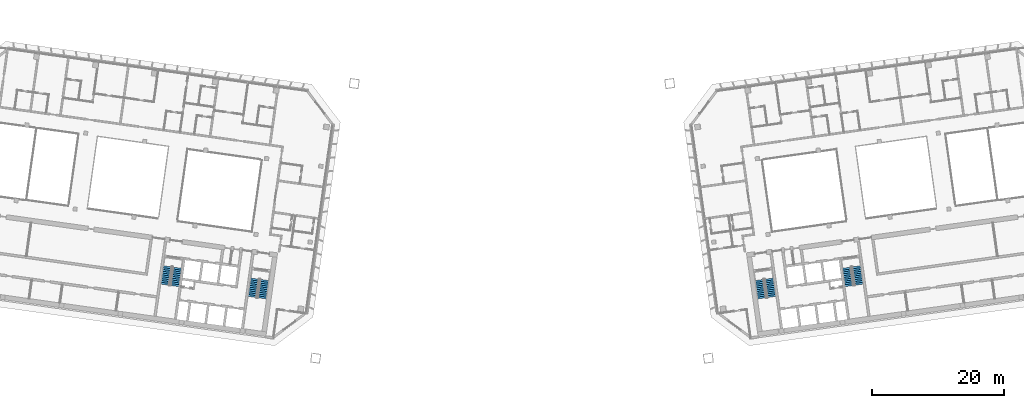
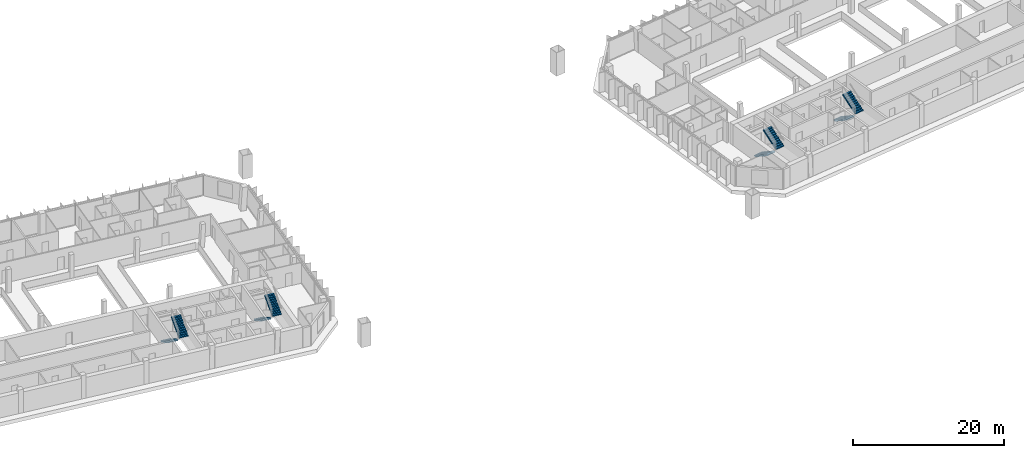
# One storey, part 21 of 23: 8 stair flights, 4 elements without a shape of their own.
"""IFC4 building model written with IfcOpenShell, lengths in metres."""

from ifc_helpers import new_model, si_unit, direction, frame, origin, place, context, subcontext, project, spatial, polyline, outline, extrude, material, type_object, element, aggregate, save


model = new_model("IFC4")

# Units and contexts
model_context = context("Model", 3, precision=1e-05, world=origin(), true_north=direction((0.0, 1.0)))
body_context = subcontext(model_context, "Body", "Model", "MODEL_VIEW")
ifc_project = project(units=[si_unit("LENGTHUNIT", "METRE"), si_unit("AREAUNIT", "SQUARE_METRE"), si_unit("VOLUMEUNIT", "CUBIC_METRE"), si_unit("PLANEANGLEUNIT", "RADIAN"), si_unit("MASSUNIT", "GRAM", prefix="KILO")], contexts=[model_context])

# Site, building, storey
site_placement = place(None, origin())
site = spatial("IfcSite", under=ifc_project, at=site_placement, CompositionType="ELEMENT")
building_placement = place(site_placement, origin())
building = spatial("IfcBuilding", under=site, at=building_placement, Name="Mirante Cascada Hotel Towers", CompositionType="ELEMENT")
storey_placement = place(building_placement, frame((0.0, 0.0, 180.2)))
storey = spatial("IfcBuildingStorey", under=building, at=storey_placement, Name="L42", CompositionType="ELEMENT", Elevation=180.2)

# Stair, stair flights
ifc_material_1 = material(Name="Concrete C35/45", Category="concrete")
stair_type = type_object("IfcStairType", Name="Exit stair half-turn 1350 concrete C35/45", PredefinedType="HALF_TURN_STAIR", material=ifc_material_1)
stair_1_placement = place(storey_placement, origin())
stair_1 = element("IfcStair", 1, at=stair_1_placement, inside=storey, type_object=stair_type, Name="L42 Exit stair A", PredefinedType="HALF_TURN_STAIR")
ifc_material_2 = material(Name="Concrete C35/45", Category="concrete")
stair_flight_type = type_object("IfcStairFlightType", Name="Exit stair flight 1350 concrete C35/45", PredefinedType="STRAIGHT", material=ifc_material_2)
stair_flight_1_placement = place(storey_placement, frame((-38.9417, -11.195, 0.0), z_axis=(0.0, 0.0, 1.0), x_axis=(-0.1391731, -0.9902681, 0.0)))
stair_flight_1 = element("IfcStairFlight", 2, at=stair_flight_1_placement, type_object=stair_flight_type, Name="ST1-A flight 1", NumberOfRisers=11, NumberOfTreads=10, PredefinedType="STRAIGHT", RiserHeight=0.172727273, TreadLength=0.28, context=body_context, shape_type="SweptSolid", body=[
    extrude(outline(polyline([(0.0, 0.0), (0.0, 0.1727), (0.28, 0.1727), (0.28, 0.3455), (0.56, 0.3455), (0.56, 0.5182), (0.84, 0.5182), (0.84, 0.6909), (1.12, 0.6909), (1.12, 0.8636), (1.4, 0.8636), (1.4, 1.0364), (1.68, 1.0364), (1.68, 1.2091), (1.96, 1.2091), (1.96, 1.3818), (2.24, 1.3818), (2.24, 1.5545), (2.52, 1.5545), (2.52, 1.7273), (2.8, 1.7273), (2.8, 1.9), (2.8, 1.551), (0.2857, 0.0), (0.0, 0.0)])), frame((0.0, 0.675, 0.0), z_axis=(0.0, -1.0, 0.0), x_axis=(1.0, 0.0, 0.0)), (0.0, 0.0, 1.0), 1.35),
])
stair_flight_2_placement = place(storey_placement, frame((-37.846, -14.1765, 1.9), z_axis=(0.0, 0.0, 1.0), x_axis=(0.1391731, 0.9902681, 0.0)))
stair_flight_2 = element("IfcStairFlight", 3, at=stair_flight_2_placement, type_object=stair_flight_type, Name="ST1-A flight 2", NumberOfRisers=11, NumberOfTreads=10, PredefinedType="STRAIGHT", RiserHeight=0.172727273, TreadLength=0.28, context=body_context, shape_type="SweptSolid", body=[
    extrude(outline(polyline([(0.0, 0.0), (0.0, 0.1727), (0.28, 0.1727), (0.28, 0.3455), (0.56, 0.3455), (0.56, 0.5182), (0.84, 0.5182), (0.84, 0.6909), (1.12, 0.6909), (1.12, 0.8636), (1.4, 0.8636), (1.4, 1.0364), (1.68, 1.0364), (1.68, 1.2091), (1.96, 1.2091), (1.96, 1.3818), (2.24, 1.3818), (2.24, 1.5545), (2.52, 1.5545), (2.52, 1.7273), (2.8, 1.7273), (2.8, 1.9), (2.8, 1.551), (0.2857, 0.0), (0.0, 0.0)])), frame((0.0, 0.675, 0.0), z_axis=(0.0, -1.0, 0.0), x_axis=(1.0, 0.0, 0.0)), (0.0, 0.0, 1.0), 1.35),
])
aggregate(stair_1, [stair_flight_1, stair_flight_2])

stair_2_placement = place(storey_placement, origin())
stair_2 = element("IfcStair", 4, at=stair_2_placement, inside=storey, type_object=stair_type, Name="L42 Exit stair B", PredefinedType="HALF_TURN_STAIR")
stair_flight_3_placement = place(storey_placement, frame((-52.1618, -9.3371, 0.0), z_axis=(0.0, 0.0, 1.0), x_axis=(-0.1391731, -0.9902681, 0.0)))
stair_flight_3 = element("IfcStairFlight", 5, at=stair_flight_3_placement, type_object=stair_flight_type, Name="ST1-B flight 1", NumberOfRisers=11, NumberOfTreads=10, PredefinedType="STRAIGHT", RiserHeight=0.172727273, TreadLength=0.28, context=body_context, shape_type="SweptSolid", body=[
    extrude(outline(polyline([(0.0, 0.0), (0.0, 0.1727), (0.28, 0.1727), (0.28, 0.3455), (0.56, 0.3455), (0.56, 0.5182), (0.84, 0.5182), (0.84, 0.6909), (1.12, 0.6909), (1.12, 0.8636), (1.4, 0.8636), (1.4, 1.0364), (1.68, 1.0364), (1.68, 1.2091), (1.96, 1.2091), (1.96, 1.3818), (2.24, 1.3818), (2.24, 1.5545), (2.52, 1.5545), (2.52, 1.7273), (2.8, 1.7273), (2.8, 1.9), (2.8, 1.551), (0.2857, 0.0), (0.0, 0.0)])), frame((0.0, 0.675, 0.0), z_axis=(0.0, -1.0, 0.0), x_axis=(1.0, 0.0, 0.0)), (0.0, 0.0, 1.0), 1.35),
])
stair_flight_4_placement = place(storey_placement, frame((-51.0661, -12.3186, 1.9), z_axis=(0.0, 0.0, 1.0), x_axis=(0.1391731, 0.9902681, 0.0)))
stair_flight_4 = element("IfcStairFlight", 6, at=stair_flight_4_placement, type_object=stair_flight_type, Name="ST1-B flight 2", NumberOfRisers=11, NumberOfTreads=10, PredefinedType="STRAIGHT", RiserHeight=0.172727273, TreadLength=0.28, context=body_context, shape_type="SweptSolid", body=[
    extrude(outline(polyline([(0.0, 0.0), (0.0, 0.1727), (0.28, 0.1727), (0.28, 0.3455), (0.56, 0.3455), (0.56, 0.5182), (0.84, 0.5182), (0.84, 0.6909), (1.12, 0.6909), (1.12, 0.8636), (1.4, 0.8636), (1.4, 1.0364), (1.68, 1.0364), (1.68, 1.2091), (1.96, 1.2091), (1.96, 1.3818), (2.24, 1.3818), (2.24, 1.5545), (2.52, 1.5545), (2.52, 1.7273), (2.8, 1.7273), (2.8, 1.9), (2.8, 1.551), (0.2857, 0.0), (0.0, 0.0)])), frame((0.0, 0.675, 0.0), z_axis=(0.0, -1.0, 0.0), x_axis=(1.0, 0.0, 0.0)), (0.0, 0.0, 1.0), 1.35),
])
aggregate(stair_2, [stair_flight_3, stair_flight_4])

stair_3_placement = place(storey_placement, origin())
stair_3 = element("IfcStair", 7, at=stair_3_placement, inside=storey, type_object=stair_type, Name="L42 Exit stair A", PredefinedType="HALF_TURN_STAIR")
stair_flight_5_placement = place(storey_placement, frame((37.4563, -11.4038, 0.0), z_axis=(0.0, 0.0, 1.0), x_axis=(0.1391731, -0.9902681, 0.0)))
stair_flight_5 = element("IfcStairFlight", 8, at=stair_flight_5_placement, type_object=stair_flight_type, Name="ST2-A flight 1", NumberOfRisers=11, NumberOfTreads=10, PredefinedType="STRAIGHT", RiserHeight=0.172727273, TreadLength=0.28, context=body_context, shape_type="SweptSolid", body=[
    extrude(outline(polyline([(0.0, 0.0), (0.0, 0.1727), (0.28, 0.1727), (0.28, 0.3455), (0.56, 0.3455), (0.56, 0.5182), (0.84, 0.5182), (0.84, 0.6909), (1.12, 0.6909), (1.12, 0.8636), (1.4, 0.8636), (1.4, 1.0364), (1.68, 1.0364), (1.68, 1.2091), (1.96, 1.2091), (1.96, 1.3818), (2.24, 1.3818), (2.24, 1.5545), (2.52, 1.5545), (2.52, 1.7273), (2.8, 1.7273), (2.8, 1.9), (2.8, 1.551), (0.2857, 0.0), (0.0, 0.0)])), frame((0.0, 0.675, 0.0), z_axis=(0.0, -1.0, 0.0), x_axis=(1.0, 0.0, 0.0)), (0.0, 0.0, 1.0), 1.35),
])
stair_flight_6_placement = place(storey_placement, frame((39.3314, -13.9678, 1.9), z_axis=(0.0, 0.0, 1.0), x_axis=(-0.1391731, 0.9902681, 0.0)))
stair_flight_6 = element("IfcStairFlight", 9, at=stair_flight_6_placement, type_object=stair_flight_type, Name="ST2-A flight 2", NumberOfRisers=11, NumberOfTreads=10, PredefinedType="STRAIGHT", RiserHeight=0.172727273, TreadLength=0.28, context=body_context, shape_type="SweptSolid", body=[
    extrude(outline(polyline([(0.0, 0.0), (0.0, 0.1727), (0.28, 0.1727), (0.28, 0.3455), (0.56, 0.3455), (0.56, 0.5182), (0.84, 0.5182), (0.84, 0.6909), (1.12, 0.6909), (1.12, 0.8636), (1.4, 0.8636), (1.4, 1.0364), (1.68, 1.0364), (1.68, 1.2091), (1.96, 1.2091), (1.96, 1.3818), (2.24, 1.3818), (2.24, 1.5545), (2.52, 1.5545), (2.52, 1.7273), (2.8, 1.7273), (2.8, 1.9), (2.8, 1.551), (0.2857, 0.0), (0.0, 0.0)])), frame((0.0, 0.675, 0.0), z_axis=(0.0, -1.0, 0.0), x_axis=(1.0, 0.0, 0.0)), (0.0, 0.0, 1.0), 1.35),
])
aggregate(stair_3, [stair_flight_5, stair_flight_6])

stair_4_placement = place(storey_placement, origin())
stair_4 = element("IfcStair", 10, at=stair_4_placement, inside=storey, type_object=stair_type, Name="L42 Exit stair B", PredefinedType="HALF_TURN_STAIR")
stair_flight_7_placement = place(storey_placement, frame((50.6764, -9.5458, 0.0), z_axis=(0.0, 0.0, 1.0), x_axis=(0.1391731, -0.9902681, 0.0)))
stair_flight_7 = element("IfcStairFlight", 11, at=stair_flight_7_placement, type_object=stair_flight_type, Name="ST2-B flight 1", NumberOfRisers=11, NumberOfTreads=10, PredefinedType="STRAIGHT", RiserHeight=0.172727273, TreadLength=0.28, context=body_context, shape_type="SweptSolid", body=[
    extrude(outline(polyline([(0.0, 0.0), (0.0, 0.1727), (0.28, 0.1727), (0.28, 0.3455), (0.56, 0.3455), (0.56, 0.5182), (0.84, 0.5182), (0.84, 0.6909), (1.12, 0.6909), (1.12, 0.8636), (1.4, 0.8636), (1.4, 1.0364), (1.68, 1.0364), (1.68, 1.2091), (1.96, 1.2091), (1.96, 1.3818), (2.24, 1.3818), (2.24, 1.5545), (2.52, 1.5545), (2.52, 1.7273), (2.8, 1.7273), (2.8, 1.9), (2.8, 1.551), (0.2857, 0.0), (0.0, 0.0)])), frame((0.0, 0.675, 0.0), z_axis=(0.0, -1.0, 0.0), x_axis=(1.0, 0.0, 0.0)), (0.0, 0.0, 1.0), 1.35),
])
stair_flight_8_placement = place(storey_placement, frame((52.5515, -12.1098, 1.9), z_axis=(0.0, 0.0, 1.0), x_axis=(-0.1391731, 0.9902681, 0.0)))
stair_flight_8 = element("IfcStairFlight", 12, at=stair_flight_8_placement, type_object=stair_flight_type, Name="ST2-B flight 2", NumberOfRisers=11, NumberOfTreads=10, PredefinedType="STRAIGHT", RiserHeight=0.172727273, TreadLength=0.28, context=body_context, shape_type="SweptSolid", body=[
    extrude(outline(polyline([(0.0, 0.0), (0.0, 0.1727), (0.28, 0.1727), (0.28, 0.3455), (0.56, 0.3455), (0.56, 0.5182), (0.84, 0.5182), (0.84, 0.6909), (1.12, 0.6909), (1.12, 0.8636), (1.4, 0.8636), (1.4, 1.0364), (1.68, 1.0364), (1.68, 1.2091), (1.96, 1.2091), (1.96, 1.3818), (2.24, 1.3818), (2.24, 1.5545), (2.52, 1.5545), (2.52, 1.7273), (2.8, 1.7273), (2.8, 1.9), (2.8, 1.551), (0.2857, 0.0), (0.0, 0.0)])), frame((0.0, 0.675, 0.0), z_axis=(0.0, -1.0, 0.0), x_axis=(1.0, 0.0, 0.0)), (0.0, 0.0, 1.0), 1.35),
])
aggregate(stair_4, [stair_flight_7, stair_flight_8])

save(model, "model.ifc")
